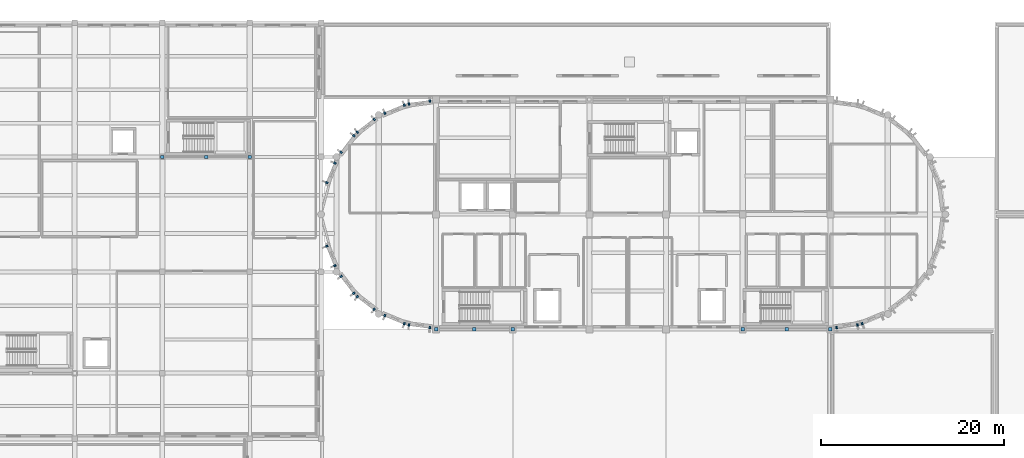
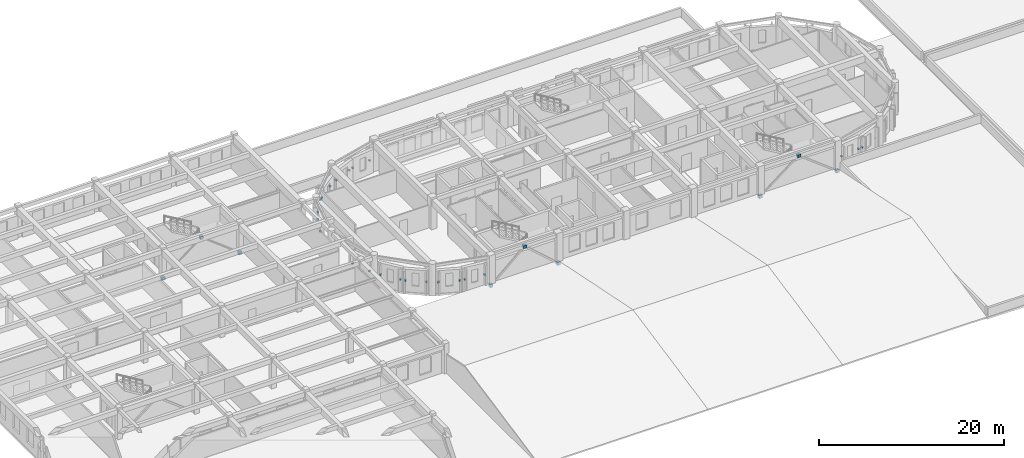
# One storey, part 31 of 46: 32 discrete accessories.
"""IFC4 building model written with IfcOpenShell, lengths in metres."""

from ifc_helpers import new_model, si_unit, direction, frame, origin, origin_2d, place, context, subcontext, project, spatial, rectangle, extrude, material, type_object, element, save


model = new_model("IFC4")

# Units and contexts
model_context = context("Model", 3, precision=1e-05, world=origin(), true_north=direction((0.0, 1.0)))
body_context = subcontext(model_context, "Body", "Model", "MODEL_VIEW")
ifc_project = project(units=[si_unit("LENGTHUNIT", "METRE"), si_unit("AREAUNIT", "SQUARE_METRE"), si_unit("VOLUMEUNIT", "CUBIC_METRE"), si_unit("PLANEANGLEUNIT", "RADIAN"), si_unit("MASSUNIT", "GRAM", prefix="KILO")], contexts=[model_context])

# Site, building, storey
site_placement = place(None, origin())
site = spatial("IfcSite", under=ifc_project, at=site_placement, CompositionType="ELEMENT")
building_placement = place(site_placement, origin())
building = spatial("IfcBuilding", under=site, at=building_placement, Name="Tarnavel Promenade Courthouse", CompositionType="ELEMENT")
storey_placement = place(building_placement, frame((0.0, 0.0, 14.39990234375)))
storey = spatial("IfcBuildingStorey", under=building, at=storey_placement, Name="L04", CompositionType="ELEMENT", Elevation=14.39990234375)

# Discrete accessories
ifc_material = material(Name="Steel S355J2", Category="steel")
discrete_accessory_type_1 = type_object("IfcDiscreteAccessoryType", Name="Steel S355J2 Facade Pier Anchor Bracket", PredefinedType="BRACKET", material=ifc_material)
for number, where, z_axis, x_axis, name in (
    (1, (58.1240234375, 104.210205078125, 1.455078125), (0.0, 0.0, 1.0), (-0.991444861374, -0.13052619222, 0.0), "L04 Drum Pier Bracket 0091"),
    (2, (55.82958984375, 103.908203125, 1.455078125), (0.0, 0.0, 1.0), (-0.991444861374, -0.13052619222, 0.0), "L04 Drum Pier Bracket 0092"),
    (3, (55.318603515625, 103.77099609375, 1.4052734375), (0.0, 0.0, 1.0), (-0.923879532511, -0.382683432365, 0.0), "L04 Drum Pier Bracket 0093"),
    (4, (53.180419921875, 102.885498046875, 1.4052734375), (0.0, 0.0, 1.0), (-0.923879532511, -0.382683432365, 0.0), "L04 Drum Pier Bracket 0094"),
    (5, (52.009521484375, 102.20947265625, 1.4052734375), (0.0, 0.0, 1.0), (-0.793353340291, -0.608761429009, 0.0), "L04 Drum Pier Bracket 0095"),
    (6, (50.173583984375, 100.80078125, 1.4052734375), (0.0, 0.0, 1.0), (-0.793353340291, -0.608761429009, 0.0), "L04 Drum Pier Bracket 0096"),
    (7, (49.79931640625, 100.426513671875, 1.455078125), (0.0, 0.0, 1.0), (-0.608761429009, -0.793353340291, 0.0), "L04 Drum Pier Bracket 0097"),
    (8, (48.390380859375, 98.590576171875, 1.455078125), (0.0, 0.0, 1.0), (-0.608761429009, -0.793353340291, 0.0), "L04 Drum Pier Bracket 0098"),
    (9, (47.714599609375, 97.419677734375, 1.455078125), (0.0, 0.0, 1.0), (-0.382683432365, -0.923879532511, 0.0), "L04 Drum Pier Bracket 0099"),
    (10, (46.828857421875, 95.281494140625, 1.455078125), (0.0, 0.0, 1.0), (-0.382683432365, -0.923879532511, 0.0), "L04 Drum Pier Bracket 0100"),
    (11, (46.828857421875, 88.318603515625, 1.455078125), (0.0, 0.0, 1.0), (0.382683432365, -0.923879532511, 0.0), "L04 Drum Pier Bracket 0101"),
    (12, (47.714599609375, 86.180419921875, 1.455078125), (0.0, 0.0, 1.0), (0.382683432365, -0.923879532511, 0.0), "L04 Drum Pier Bracket 0102"),
    (13, (48.390380859375, 85.009521484375, 1.455078125), (0.0, 0.0, 1.0), (0.608761429009, -0.793353340291, 0.0), "L04 Drum Pier Bracket 0103"),
    (14, (49.79931640625, 83.173583984375, 1.455078125), (0.0, 0.0, 1.0), (0.608761429009, -0.793353340291, 0.0), "L04 Drum Pier Bracket 0104"),
    (15, (50.173583984375, 82.79931640625, 1.4052734375), (0.0, 0.0, 1.0), (0.793353340291, -0.608761429009, 0.0), "L04 Drum Pier Bracket 0105"),
    (16, (52.009521484375, 81.390380859375, 1.4052734375), (0.0, 0.0, 1.0), (0.793353340291, -0.608761429009, 0.0), "L04 Drum Pier Bracket 0106"),
    (17, (53.180419921875, 80.714599609375, 1.4052734375), (0.0, 0.0, 1.0), (0.923879532511, -0.382683432365, 0.0), "L04 Drum Pier Bracket 0107"),
    (18, (55.318603515625, 79.828857421875, 1.4052734375), (0.0, 0.0, 1.0), (0.923879532511, -0.382683432365, 0.0), "L04 Drum Pier Bracket 0108"),
    (19, (55.82958984375, 79.69189453125, 1.455078125), (0.0, 0.0, 1.0), (0.991444861374, -0.13052619222, 0.0), "L04 Drum Pier Bracket 0109"),
    (20, (58.1240234375, 79.389892578125, 1.455078125), (0.0, 0.0, 1.0), (0.991444861374, -0.13052619222, 0.0), "L04 Drum Pier Bracket 0110"),
    (21, (102.676025390625, 79.389892578125, 1.455078125), (0.0, 0.0, 1.0), (0.991444861374, 0.13052619222, 0.0), "L04 Drum Pier Bracket 0111"),
    (22, (104.970458984375, 79.69189453125, 1.455078125), (0.0, 0.0, 1.0), (0.991444861374, 0.13052619222, 0.0), "L04 Drum Pier Bracket 0112"),
    (23, (105.4814453125, 79.828857421875, 1.4052734375), (0.0, 0.0, 1.0), (0.923879532511, 0.382683432365, 0.0), "L04 Drum Pier Bracket 0113"),
):
    element("IfcDiscreteAccessory", number, at=place(storey_placement, frame(where, z_axis=z_axis, x_axis=x_axis)), inside=storey, type_object=discrete_accessory_type_1, Name=name, PredefinedType="BRACKET", context=body_context, shape_type="SweptSolid", body=[
        extrude(rectangle(XDim=0.199951171875, YDim=0.260009765625, at=origin_2d()), origin(), (0.0, 0.0, 1.0), 0.179931640625),
    ])
discrete_accessory_type_2 = type_object("IfcDiscreteAccessoryType", Name="Steel S355J2 Structural Connection Bracket", PredefinedType="BRACKET", material=ifc_material)
for number, where, z_axis, x_axis, name in (
    (24, (58.800048828125, 79.199951171875, -0.18994140625), (0.0, 0.0, 1.0), (1.0, 0.0, 0.0), "L04 V5 Chevron Brace Gusset Node 005-L"),
    (25, (63.0, 79.199951171875, 3.51513671875), (0.0, 0.0, 1.0), (1.0, 0.0, 0.0), "L04 V5 Chevron Brace Gusset Node 005-M"),
    (26, (67.199951171875, 79.199951171875, -0.18994140625), (0.0, 0.0, 1.0), (1.0, 0.0, 0.0), "L04 V5 Chevron Brace Gusset Node 005-R"),
    (27, (92.39990234375, 79.199951171875, -0.18994140625), (0.0, 0.0, 1.0), (1.0, 0.0, 0.0), "L04 V5 Chevron Brace Gusset Node 015-L"),
    (28, (97.199951171875, 79.199951171875, 3.51513671875), (0.0, 0.0, 1.0), (1.0, 0.0, 0.0), "L04 V5 Chevron Brace Gusset Node 015-M"),
    (29, (102.0, 79.199951171875, -0.18994140625), (0.0, 0.0, 1.0), (1.0, 0.0, 0.0), "L04 V5 Chevron Brace Gusset Node 015-R"),
    (30, (28.800048828125, 98.10009765625, -0.18994140625), (0.0, 0.0, 1.0), (1.0, 0.0, 0.0), "L04 V2 Chevron Brace Gusset Node 039-L"),
    (31, (33.60009765625, 98.10009765625, 3.51513671875), (0.0, 0.0, 1.0), (1.0, 0.0, 0.0), "L04 V2 Chevron Brace Gusset Node 039-M"),
    (32, (38.39990234375, 98.10009765625, -0.18994140625), (0.0, 0.0, 1.0), (1.0, 0.0, 0.0), "L04 V2 Chevron Brace Gusset Node 039-R"),
):
    element("IfcDiscreteAccessory", number, at=place(storey_placement, frame(where, z_axis=z_axis, x_axis=x_axis)), inside=storey, type_object=discrete_accessory_type_2, Name=name, PredefinedType="BRACKET", context=body_context, shape_type="SweptSolid", body=[
        extrude(rectangle(XDim=0.3798828125, YDim=0.360107421875, at=origin_2d()), origin(), (0.0, 0.0, 1.0), 0.3798828125),
    ])

save(model, "model.ifc")
